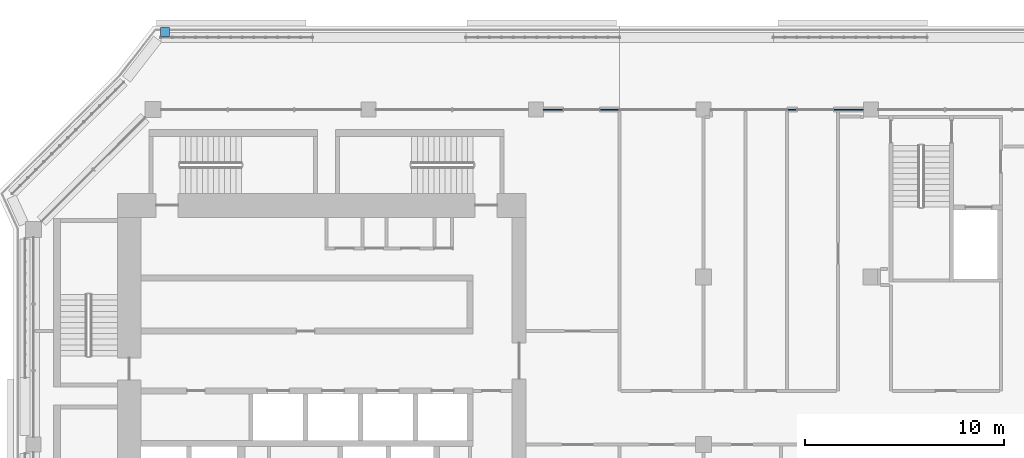
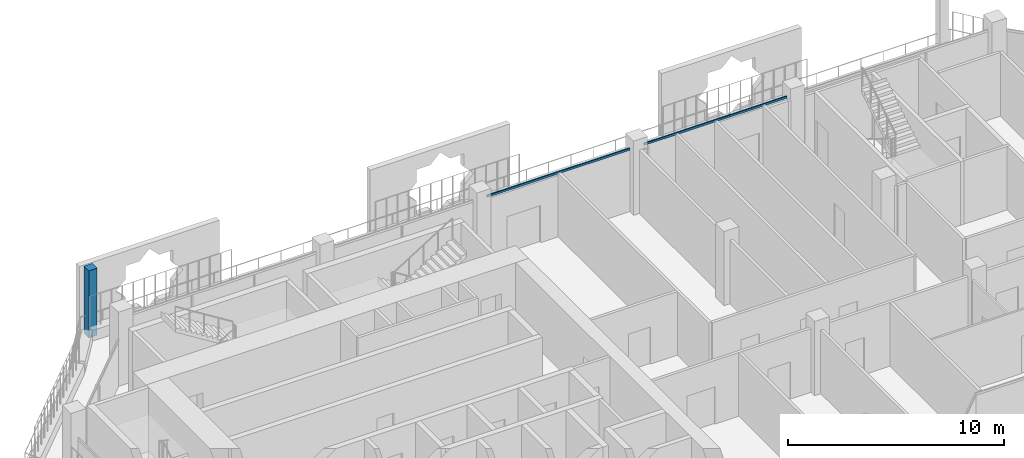
# One storey, part 7 of 22: 3 members, 2 elements without a shape of their own.
"""IFC4 building model written with IfcOpenShell, lengths in metres."""

from ifc_helpers import new_model, si_unit, direction, frame, origin, origin_2d, place, context, subcontext, project, spatial, rectangle, extrude, material, layer, layer_set, material_profile, profile_set, type_object, element, aggregate, save


model = new_model("IFC4")

# Units and contexts
model_context = context("Model", 3, precision=1e-05, world=origin(), true_north=direction((0.0, 1.0)))
body_context = subcontext(model_context, "Body", "Model", "MODEL_VIEW")
ifc_project = project(units=[si_unit("LENGTHUNIT", "METRE"), si_unit("AREAUNIT", "SQUARE_METRE"), si_unit("VOLUMEUNIT", "CUBIC_METRE"), si_unit("PLANEANGLEUNIT", "RADIAN"), si_unit("MASSUNIT", "GRAM", prefix="KILO")], contexts=[model_context])

# Site, building, storey
site_placement = place(None, origin())
site = spatial("IfcSite", under=ifc_project, at=site_placement, CompositionType="ELEMENT")
building_placement = place(site_placement, origin())
building = spatial("IfcBuilding", under=site, at=building_placement, Name="Kawkab Arch Medical Tower", CompositionType="ELEMENT")
storey_placement = place(building_placement, frame((0.0, 0.0, 298.60009765625)))
storey = spatial("IfcBuildingStorey", under=building, at=storey_placement, Name="L69", CompositionType="ELEMENT", Elevation=298.60009765625)

# Curtain wall, members
ifc_material_1 = material(Name="Bronze anodised aluminium curtain wall frame", Category="aluminium")
ifc_layer_1 = layer(ifc_material_1, 0.159912109375)
ifc_layer_set_1 = layer_set([ifc_layer_1], Name="Bronze anodised aluminium curtain wall frame")
curtain_wall_type_1 = type_object("IfcCurtainWallType", Name="CW1 ward curtain wall", PredefinedType="NOTDEFINED", material=ifc_layer_set_1)
placement = place(storey_placement, origin())
curtain_wall_1 = element("IfcCurtainWall", 1, at=placement, inside=storey, type_object=curtain_wall_type_1, Name="CW1 Ward curtain wall R15", PredefinedType="NOTDEFINED")
ifc_material_2 = material(Name="Bronze anodised aluminium curtain wall frame", Category="aluminium")
ifc_material_profile_1 = material_profile(ifc_material_2, rectangle(XDim=0.06005859375, YDim=0.1201171875, at=origin_2d()), Name="AL 60x120")
ifc_profile_set_1 = profile_set([ifc_material_profile_1], Name="Bronze anodised aluminium curtain wall frame")
member_type_1 = type_object("IfcMemberType", Name="CW1 transom 120 x 60", PredefinedType="USERDEFINED", material=ifc_profile_set_1)
member_1_placement = place(storey_placement, frame((41.625, 0.0, 3.539794921875), z_axis=(-1.0, 0.0, 0.0), x_axis=(0.0, -1.0, 0.0)))
member_1 = element("IfcMember", 2, at=member_1_placement, type_object=member_type_1, Name="CW1 transom 2", ObjectType="TRANSOM", PredefinedType="USERDEFINED", context=body_context, shape_type="SweptSolid", body=[
    extrude(rectangle(XDim=0.06005859375, YDim=0.1201171875, at=origin_2d()), origin(), (0.0, 0.0, 1.0), 7.64990234375),
])
member_2_placement = place(storey_placement, frame((33.22509765625, 0.0, 3.539794921875), z_axis=(-1.0, 0.0, 0.0), x_axis=(0.0, -1.0, 0.0)))
member_2 = element("IfcMember", 3, at=member_2_placement, type_object=member_type_1, Name="CW1 transom 3", ObjectType="TRANSOM", PredefinedType="USERDEFINED", context=body_context, shape_type="SweptSolid", body=[
    extrude(rectangle(XDim=0.06005859375, YDim=0.1201171875, at=origin_2d()), origin(), (0.0, 0.0, 1.0), 7.650146484375),
])
aggregate(curtain_wall_1, [member_1, member_2])

# Curtain wall, member
ifc_material_3 = material(Name="Bronze anodised aluminium climber frame, planted", Category="aluminium")
ifc_layer_2 = layer(ifc_material_3, 0.449951171875)
ifc_layer_set_2 = layer_set([ifc_layer_2], Name="Bronze anodised aluminium climber frame, planted")
curtain_wall_type_2 = type_object("IfcCurtainWallType", Name="Planted climber frame", PredefinedType="NOTDEFINED", material=ifc_layer_set_2)
curtain_wall_2 = element("IfcCurtainWall", 4, at=placement, inside=storey, type_object=curtain_wall_type_2, Name="Planted climber frame L69", PredefinedType="NOTDEFINED")
ifc_material_4 = material(Name="Bronze anodised aluminium climber frame, planted", Category="aluminium")
ifc_material_profile_2 = material_profile(ifc_material_4, rectangle(XDim=0.449951171875, YDim=0.449951171875, at=origin_2d()), Name="Post 450x450")
ifc_profile_set_2 = profile_set([ifc_material_profile_2], Name="Bronze anodised aluminium climber frame, planted")
member_type_2 = type_object("IfcMemberType", Name="Planted climber post 450 x 450", PredefinedType="MULLION", material=ifc_profile_set_2)
member_3_placement = place(storey_placement, frame((6.596923828125, 3.89990234375, 0.0), z_axis=(0.0, 0.0, 1.0), x_axis=(1.0, 0.0, 0.0)))
member_3 = element("IfcMember", 5, at=member_3_placement, type_object=member_type_2, Name="Planted climber post L69.LOG-01-01.3", PredefinedType="MULLION", context=body_context, shape_type="SweptSolid", body=[
    extrude(rectangle(XDim=0.449951171875, YDim=0.449951171875, at=origin_2d()), origin(), (0.0, 0.0, 1.0), 3.7998046875),
])
aggregate(curtain_wall_2, [member_3])

save(model, "model.ifc")
